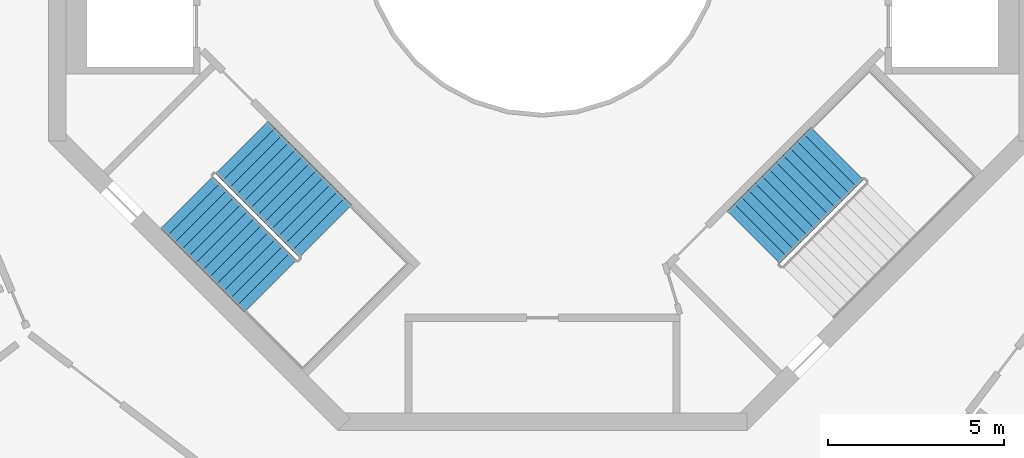
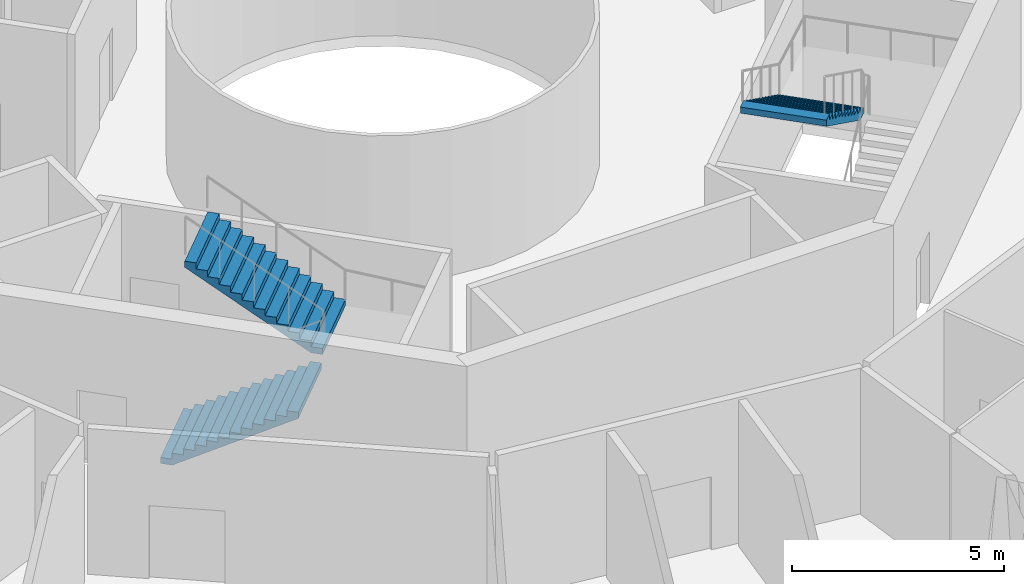
# One storey, part 16 of 18: 3 stair flights, 2 elements without a shape of their own.
"""IFC4 building model written with IfcOpenShell, lengths in metres."""

from ifc_helpers import new_model, si_unit, direction, frame, origin, place, context, subcontext, project, spatial, triangles, material, type_object, element, aggregate, save


model = new_model("IFC4")

# Units and contexts
model_context = context("Model", 3, precision=1e-05, world=origin(), true_north=direction((0.0, 1.0)))
body_context = subcontext(model_context, "Body", "Model", "MODEL_VIEW")
ifc_project = project(units=[si_unit("LENGTHUNIT", "METRE"), si_unit("AREAUNIT", "SQUARE_METRE"), si_unit("VOLUMEUNIT", "CUBIC_METRE"), si_unit("PLANEANGLEUNIT", "RADIAN"), si_unit("MASSUNIT", "GRAM", prefix="KILO")], contexts=[model_context])

# Site, building, storey
site_placement = place(None, origin())
site = spatial("IfcSite", under=ifc_project, at=site_placement, CompositionType="ELEMENT")
building_placement = place(site_placement, origin())
building = spatial("IfcBuilding", under=site, at=building_placement, Name="Verdalira Terraces Hotel", CompositionType="ELEMENT")
storey_placement = place(building_placement, frame((0.0, 0.0, 248.0)))
storey = spatial("IfcBuildingStorey", under=building, at=storey_placement, Name="L61", CompositionType="ELEMENT", Elevation=248.0)

# Stair, stair flights
ifc_material_1 = material(Name="Concrete C40", Category="concrete")
stair_type = type_object("IfcStairType", Name="Core stair 26 risers 2100 mm wide", PredefinedType="HALF_TURN_STAIR", material=ifc_material_1)
stair_1_placement = place(storey_placement, origin())
stair_1 = element("IfcStair", 1, at=stair_1_placement, inside=storey, type_object=stair_type, Name="L61 Exit stair ST2", PredefinedType="HALF_TURN_STAIR")
ifc_material_2 = material(Name="Concrete C40", Category="concrete")
stair_flight_type = type_object("IfcStairFlightType", Name="Core stair flight 26 risers 2100 mm wide", PredefinedType="STRAIGHT", material=ifc_material_2)
stair_flight_1_placement = place(storey_placement, frame((-10.076172, -7.530762, 0.0), z_axis=(0.0, 0.0, 1.0), x_axis=(0.707106781, -0.707106781, 0.0)))
stair_flight_1 = element("IfcStairFlight", 2, at=stair_flight_1_placement, type_object=stair_flight_type, Name="ST2 flight 1", NumberOfRisers=13, NumberOfTreads=12, PredefinedType="STRAIGHT", RiserHeight=0.173076923, TreadLength=0.28, context=body_context, shape_type="Tessellation", body=[
    triangles([(0.0, 1.050049, 0.0), (0.285156, 1.050049, 0.0), (3.360107, 1.050049, 1.900635), (0.0, -1.050049, 0.0), (0.285156, -1.050049, 0.0), (3.360107, -1.050049, 1.900635), (3.360107, 1.050049, 2.076904), (3.080078, 1.050049, 2.076904), (3.360107, -1.050049, 2.076904), (3.080078, -1.050049, 2.076904), (3.080078, 1.050049, 1.903809), (3.080078, -1.050049, 1.903809), (2.800049, 1.050049, 1.903809), (2.800049, -1.050049, 1.903809), (2.800049, 1.050049, 1.730713), (2.800049, -1.050049, 1.730713), (2.52002, 1.050049, 1.730713), (2.52002, 1.050049, 1.557617), (2.52002, -1.050049, 1.730713), (2.52002, -1.050049, 1.557617), (2.23999, 1.050049, 1.557617), (2.23999, 1.050049, 1.384521), (2.23999, -1.050049, 1.557617), (2.23999, -1.050049, 1.384521), (1.959961, 1.050049, 1.384521), (1.959961, 1.050049, 1.211426), (1.959961, -1.050049, 1.384521), (1.959961, -1.050049, 1.211426), (1.679932, 1.050049, 1.211426), (1.679932, 1.050049, 1.038574), (1.679932, -1.050049, 1.211426), (1.679932, -1.050049, 1.038574), (1.399902, 1.050049, 1.038574), (1.399902, 1.050049, 0.865479), (1.399902, -1.050049, 1.038574), (1.399902, -1.050049, 0.865479), (1.120117, 1.050049, 0.865479), (1.120117, 1.050049, 0.692383), (1.120117, -1.050049, 0.865479), (1.120117, -1.050049, 0.692383), (0.840088, 1.050049, 0.692383), (0.840088, 1.050049, 0.519287), (0.840088, -1.050049, 0.692383), (0.840088, -1.050049, 0.519287), (0.560059, 1.050049, 0.519287), (0.560059, 1.050049, 0.346191), (0.560059, -1.050049, 0.519287), (0.560059, -1.050049, 0.346191), (0.280029, 1.050049, 0.346191), (0.280029, 1.050049, 0.173096), (0.280029, -1.050049, 0.346191), (0.280029, -1.050049, 0.173096), (0.0, 1.050049, 0.173096), (0.0, -1.050049, 0.173096), (0.0, -0.984421, 0.0), (0.0, -0.984421, 0.173096), (0.0, -0.918793, 0.0), (0.0, -0.918793, 0.173096), (0.0, -0.853165, 0.0), (0.0, -0.853165, 0.173096), (0.0, -0.787537, 0.0), (0.0, -0.787537, 0.173096), (0.0, -0.721909, 0.0), (0.0, -0.721909, 0.173096), (0.0, -0.656281, 0.0), (0.0, -0.656281, 0.173096), (0.0, -0.590652, 0.0), (0.0, -0.590652, 0.173096), (0.0, -0.525024, 0.0), (0.0, -0.525024, 0.173096), (0.0, -0.459396, 0.0), (0.0, -0.459396, 0.173096), (0.0, -0.393768, 0.0), (0.0, -0.393768, 0.173096), (0.0, -0.32814, 0.0), (0.0, -0.32814, 0.173096), (0.0, -0.262512, 0.0), (0.0, -0.262512, 0.173096), (0.0, -0.196884, 0.0), (0.0, -0.196884, 0.173096), (0.0, -0.131256, 0.0), (0.0, -0.131256, 0.173096), (0.0, -0.065628, 0.0), (0.0, -0.065628, 0.173096), (0.0, 0.0, 0.0), (0.0, 0.0, 0.173096), (0.0, 0.065628, 0.0), (0.0, 0.065628, 0.173096), (0.0, 0.131256, 0.0), (0.0, 0.131256, 0.173096), (0.0, 0.196884, 0.0), (0.0, 0.196884, 0.173096), (0.0, 0.262512, 0.0), (0.0, 0.262512, 0.173096), (0.0, 0.32814, 0.0), (0.0, 0.32814, 0.173096), (0.0, 0.393768, 0.0), (0.0, 0.393768, 0.173096), (0.0, 0.459396, 0.0), (0.0, 0.459396, 0.173096), (0.0, 0.525024, 0.0), (0.0, 0.525024, 0.173096), (0.0, 0.590652, 0.0), (0.0, 0.590652, 0.173096), (0.0, 0.656281, 0.0), (0.0, 0.656281, 0.173096), (0.0, 0.721909, 0.0), (0.0, 0.721909, 0.173096), (0.0, 0.787537, 0.0), (0.0, 0.787537, 0.173096), (0.0, 0.853165, 0.0), (0.0, 0.853165, 0.173096), (0.0, 0.918793, 0.0), (0.0, 0.918793, 0.173096), (0.0, 0.984421, 0.0), (0.0, 0.984421, 0.173096), (3.360107, -0.984421, 2.076904), (3.360107, -0.918793, 2.076904), (3.360107, -0.853165, 2.076904), (3.360107, -0.787537, 2.076904), (3.360107, -0.721909, 2.076904), (3.360107, -0.656281, 2.076904), (3.360107, -0.590652, 2.076904), (3.360107, -0.525024, 2.076904), (3.360107, -0.459396, 2.076904), (3.360107, -0.393768, 2.076904), (3.360107, -0.32814, 2.076904), (3.360107, -0.262512, 2.076904), (3.360107, -0.196884, 2.076904), (3.360107, -0.131256, 2.076904), (3.360107, -0.065628, 2.076904), (3.360107, 0.0, 2.076904), (3.360107, 0.065628, 2.076904), (3.360107, 0.131256, 2.076904), (3.360107, 0.196884, 2.076904), (3.360107, 0.262512, 2.076904), (3.360107, 0.32814, 2.076904), (3.360107, 0.393768, 2.076904), (3.360107, 0.459396, 2.076904), (3.360107, 0.525024, 2.076904), (3.360107, 0.590652, 2.076904), (3.360107, 0.656281, 2.076904), (3.360107, 0.721909, 2.076904), (3.360107, 0.787537, 2.076904), (3.360107, 0.853165, 2.076904), (3.360107, 0.918793, 2.076904), (3.360107, 0.984421, 2.076904), (3.360107, -0.984421, 1.900635), (3.360107, -0.918793, 1.900635), (3.360107, -0.853165, 1.900635), (3.360107, -0.787537, 1.900635), (3.360107, -0.721909, 1.900635), (3.360107, -0.656281, 1.900635), (3.360107, -0.590652, 1.900635), (3.360107, -0.525024, 1.900635), (3.360107, -0.459396, 1.900635), (3.360107, -0.393768, 1.900635), (3.360107, -0.32814, 1.900635), (3.360107, -0.262512, 1.900635), (3.360107, -0.196884, 1.900635), (3.360107, -0.131256, 1.900635), (3.360107, -0.065628, 1.900635), (3.360107, 0.0, 1.900635), (3.360107, 0.065628, 1.900635), (3.360107, 0.131256, 1.900635), (3.360107, 0.196884, 1.900635), (3.360107, 0.262512, 1.900635), (3.360107, 0.32814, 1.900635), (3.360107, 0.393768, 1.900635), (3.360107, 0.459396, 1.900635), (3.360107, 0.525024, 1.900635), (3.360107, 0.590652, 1.900635), (3.360107, 0.656281, 1.900635), (3.360107, 0.721909, 1.900635), (3.360107, 0.787537, 1.900635), (3.360107, 0.853165, 1.900635), (3.360107, 0.918793, 1.900635), (3.360107, 0.984421, 1.900635)], [[1, 3, 2], [4, 5, 6], [3, 8, 7], [6, 9, 10], [3, 11, 8], [6, 10, 12], [3, 13, 11], [6, 12, 14], [3, 15, 13], [6, 14, 16], [15, 18, 17], [16, 19, 20], [3, 18, 15], [6, 16, 20], [18, 22, 21], [20, 23, 24], [3, 22, 18], [6, 20, 24], [22, 26, 25], [24, 27, 28], [3, 26, 22], [6, 24, 28], [1, 26, 3], [4, 6, 28], [26, 30, 29], [28, 31, 32], [30, 34, 33], [32, 35, 36], [26, 34, 30], [28, 32, 36], [34, 38, 37], [36, 39, 40], [26, 38, 34], [28, 36, 40], [38, 42, 41], [40, 43, 44], [26, 42, 38], [28, 40, 44], [42, 46, 45], [44, 47, 48], [26, 46, 42], [28, 44, 48], [46, 50, 49], [48, 51, 52], [26, 50, 46], [28, 48, 52], [1, 50, 26], [4, 28, 52], [50, 1, 53], [52, 54, 4], [4, 56, 55], [4, 54, 56], [55, 58, 57], [55, 56, 58], [57, 60, 59], [57, 58, 60], [59, 62, 61], [59, 60, 62], [61, 64, 63], [61, 62, 64], [63, 66, 65], [63, 64, 66], [65, 68, 67], [65, 66, 68], [67, 70, 69], [67, 68, 70], [69, 72, 71], [69, 70, 72], [71, 74, 73], [71, 72, 74], [73, 76, 75], [73, 74, 76], [75, 78, 77], [75, 76, 78], [77, 80, 79], [77, 78, 80], [79, 82, 81], [79, 80, 82], [81, 84, 83], [81, 82, 84], [83, 86, 85], [83, 84, 86], [85, 88, 87], [85, 86, 88], [87, 90, 89], [87, 88, 90], [89, 92, 91], [89, 90, 92], [91, 94, 93], [91, 92, 94], [93, 96, 95], [93, 94, 96], [95, 98, 97], [95, 96, 98], [97, 100, 99], [97, 98, 100], [99, 102, 101], [99, 100, 102], [101, 104, 103], [101, 102, 104], [103, 106, 105], [103, 104, 106], [105, 108, 107], [105, 106, 108], [107, 110, 109], [107, 108, 110], [109, 112, 111], [109, 110, 112], [111, 114, 113], [111, 112, 114], [113, 116, 115], [113, 114, 116], [115, 53, 1], [115, 116, 53], [54, 52, 56], [56, 52, 58], [58, 52, 60], [60, 52, 62], [62, 52, 64], [64, 52, 66], [66, 52, 68], [68, 52, 70], [70, 52, 72], [72, 52, 74], [74, 52, 76], [76, 52, 78], [78, 52, 80], [80, 52, 82], [82, 52, 84], [84, 52, 86], [86, 52, 88], [88, 52, 90], [90, 52, 92], [92, 52, 94], [94, 52, 96], [96, 52, 98], [98, 52, 100], [100, 52, 102], [102, 52, 104], [104, 52, 106], [106, 52, 108], [108, 52, 110], [110, 52, 112], [112, 52, 114], [114, 52, 116], [116, 52, 53], [53, 52, 50], [52, 49, 50], [52, 51, 49], [51, 46, 49], [51, 48, 46], [48, 45, 46], [48, 47, 45], [47, 42, 45], [47, 44, 42], [44, 41, 42], [44, 43, 41], [43, 38, 41], [43, 40, 38], [40, 37, 38], [40, 39, 37], [39, 34, 37], [39, 36, 34], [36, 33, 34], [36, 35, 33], [35, 30, 33], [35, 32, 30], [32, 29, 30], [32, 31, 29], [31, 26, 29], [31, 28, 26], [28, 25, 26], [28, 27, 25], [27, 22, 25], [27, 24, 22], [24, 21, 22], [24, 23, 21], [23, 18, 21], [23, 20, 18], [20, 17, 18], [20, 19, 17], [19, 15, 17], [19, 16, 15], [16, 13, 15], [16, 14, 13], [14, 11, 13], [14, 12, 11], [12, 8, 11], [12, 10, 8], [9, 117, 10], [117, 118, 10], [118, 119, 10], [119, 120, 10], [120, 121, 10], [121, 122, 10], [122, 123, 10], [123, 124, 10], [124, 125, 10], [125, 126, 10], [126, 127, 10], [127, 128, 10], [128, 129, 10], [129, 130, 10], [130, 131, 10], [131, 132, 10], [132, 133, 10], [133, 134, 10], [134, 135, 10], [135, 136, 10], [136, 137, 10], [137, 138, 10], [138, 139, 10], [139, 140, 10], [140, 141, 10], [141, 142, 10], [142, 143, 10], [143, 144, 10], [144, 145, 10], [145, 146, 10], [146, 147, 10], [147, 7, 10], [7, 8, 10], [9, 148, 117], [9, 6, 148], [117, 149, 118], [117, 148, 149], [118, 150, 119], [118, 149, 150], [119, 151, 120], [119, 150, 151], [120, 152, 121], [120, 151, 152], [121, 153, 122], [121, 152, 153], [122, 154, 123], [122, 153, 154], [123, 155, 124], [123, 154, 155], [124, 156, 125], [124, 155, 156], [125, 157, 126], [125, 156, 157], [126, 158, 127], [126, 157, 158], [127, 159, 128], [127, 158, 159], [128, 160, 129], [128, 159, 160], [129, 161, 130], [129, 160, 161], [130, 162, 131], [130, 161, 162], [131, 163, 132], [131, 162, 163], [132, 164, 133], [132, 163, 164], [133, 165, 134], [133, 164, 165], [134, 166, 135], [134, 165, 166], [135, 167, 136], [135, 166, 167], [136, 168, 137], [136, 167, 168], [137, 169, 138], [137, 168, 169], [138, 170, 139], [138, 169, 170], [139, 171, 140], [139, 170, 171], [140, 172, 141], [140, 171, 172], [141, 173, 142], [141, 172, 173], [142, 174, 143], [142, 173, 174], [143, 175, 144], [143, 174, 175], [144, 176, 145], [144, 175, 176], [145, 177, 146], [145, 176, 177], [146, 178, 147], [146, 177, 178], [147, 3, 7], [147, 178, 3], [6, 5, 148], [148, 5, 149], [149, 5, 150], [150, 5, 151], [151, 5, 152], [152, 5, 153], [153, 5, 154], [154, 5, 155], [155, 5, 156], [156, 5, 157], [157, 5, 158], [158, 5, 159], [159, 5, 160], [160, 5, 161], [161, 5, 162], [162, 5, 163], [163, 5, 164], [164, 5, 165], [165, 5, 166], [166, 5, 167], [167, 5, 168], [168, 5, 169], [169, 5, 170], [170, 5, 171], [171, 5, 172], [172, 5, 173], [173, 5, 174], [174, 5, 175], [175, 5, 176], [176, 5, 177], [177, 5, 178], [178, 5, 3], [3, 5, 2], [4, 55, 5], [55, 57, 5], [57, 59, 5], [59, 61, 5], [61, 63, 5], [63, 65, 5], [65, 67, 5], [67, 69, 5], [69, 71, 5], [71, 73, 5], [73, 75, 5], [75, 77, 5], [77, 79, 5], [79, 81, 5], [81, 83, 5], [83, 85, 5], [85, 87, 5], [87, 89, 5], [89, 91, 5], [91, 93, 5], [93, 95, 5], [95, 97, 5], [97, 99, 5], [99, 101, 5], [101, 103, 5], [103, 105, 5], [105, 107, 5], [107, 109, 5], [109, 111, 5], [111, 113, 5], [113, 115, 5], [115, 1, 5], [1, 2, 5]], closed=True),
])
stair_flight_2_placement = place(storey_placement, frame((-6.144775, -8.35083, 2.25), z_axis=(0.0, 0.0, 1.0), x_axis=(-0.707106781, 0.707106781, 0.0)))
stair_flight_2 = element("IfcStairFlight", 3, at=stair_flight_2_placement, type_object=stair_flight_type, Name="ST2 flight 2", NumberOfRisers=13, NumberOfTreads=12, PredefinedType="STRAIGHT", RiserHeight=0.173076923, TreadLength=0.28, context=body_context, shape_type="Tessellation", body=[
    triangles([(0.0, 1.050049, 0.0), (0.285156, 1.050049, 0.0), (3.360107, 1.050049, 1.900635), (0.0, -1.050049, 0.0), (0.285156, -1.050049, 0.0), (3.360107, -1.050049, 1.900635), (3.360107, 1.050049, 2.076904), (3.080078, 1.050049, 2.076904), (3.360107, -1.050049, 2.076904), (3.080078, -1.050049, 2.076904), (3.080078, 1.050049, 1.903809), (3.080078, -1.050049, 1.903809), (2.800049, 1.050049, 1.903809), (2.800049, -1.050049, 1.903809), (2.800049, 1.050049, 1.730713), (2.800049, -1.050049, 1.730713), (2.52002, 1.050049, 1.730713), (2.52002, 1.050049, 1.557617), (2.52002, -1.050049, 1.730713), (2.52002, -1.050049, 1.557617), (2.23999, 1.050049, 1.557617), (2.23999, 1.050049, 1.384521), (2.23999, -1.050049, 1.557617), (2.23999, -1.050049, 1.384521), (1.959961, 1.050049, 1.384521), (1.959961, 1.050049, 1.211426), (1.959961, -1.050049, 1.384521), (1.959961, -1.050049, 1.211426), (1.679932, 1.050049, 1.211426), (1.679932, 1.050049, 1.038574), (1.679932, -1.050049, 1.211426), (1.679932, -1.050049, 1.038574), (1.399902, 1.050049, 1.038574), (1.399902, 1.050049, 0.865479), (1.399902, -1.050049, 1.038574), (1.399902, -1.050049, 0.865479), (1.120117, 1.050049, 0.865479), (1.120117, 1.050049, 0.692383), (1.120117, -1.050049, 0.865479), (1.120117, -1.050049, 0.692383), (0.840088, 1.050049, 0.692383), (0.840088, 1.050049, 0.519287), (0.840088, -1.050049, 0.692383), (0.840088, -1.050049, 0.519287), (0.560059, 1.050049, 0.519287), (0.560059, 1.050049, 0.346191), (0.560059, -1.050049, 0.519287), (0.560059, -1.050049, 0.346191), (0.280029, 1.050049, 0.346191), (0.280029, 1.050049, 0.173096), (0.280029, -1.050049, 0.346191), (0.280029, -1.050049, 0.173096), (0.0, 1.050049, 0.173096), (0.0, -1.050049, 0.173096), (0.0, -0.984421, 0.0), (0.0, -0.984421, 0.173096), (0.0, -0.918793, 0.0), (0.0, -0.918793, 0.173096), (0.0, -0.853165, 0.0), (0.0, -0.853165, 0.173096), (0.0, -0.787537, 0.0), (0.0, -0.787537, 0.173096), (0.0, -0.721909, 0.0), (0.0, -0.721909, 0.173096), (0.0, -0.656281, 0.0), (0.0, -0.656281, 0.173096), (0.0, -0.590652, 0.0), (0.0, -0.590652, 0.173096), (0.0, -0.525024, 0.0), (0.0, -0.525024, 0.173096), (0.0, -0.459396, 0.0), (0.0, -0.459396, 0.173096), (0.0, -0.393768, 0.0), (0.0, -0.393768, 0.173096), (0.0, -0.32814, 0.0), (0.0, -0.32814, 0.173096), (0.0, -0.262512, 0.0), (0.0, -0.262512, 0.173096), (0.0, -0.196884, 0.0), (0.0, -0.196884, 0.173096), (0.0, -0.131256, 0.0), (0.0, -0.131256, 0.173096), (0.0, -0.065628, 0.0), (0.0, -0.065628, 0.173096), (0.0, 0.0, 0.0), (0.0, 0.0, 0.173096), (0.0, 0.065628, 0.0), (0.0, 0.065628, 0.173096), (0.0, 0.131256, 0.0), (0.0, 0.131256, 0.173096), (0.0, 0.196884, 0.0), (0.0, 0.196884, 0.173096), (0.0, 0.262512, 0.0), (0.0, 0.262512, 0.173096), (0.0, 0.32814, 0.0), (0.0, 0.32814, 0.173096), (0.0, 0.393768, 0.0), (0.0, 0.393768, 0.173096), (0.0, 0.459396, 0.0), (0.0, 0.459396, 0.173096), (0.0, 0.525024, 0.0), (0.0, 0.525024, 0.173096), (0.0, 0.590652, 0.0), (0.0, 0.590652, 0.173096), (0.0, 0.656281, 0.0), (0.0, 0.656281, 0.173096), (0.0, 0.721909, 0.0), (0.0, 0.721909, 0.173096), (0.0, 0.787537, 0.0), (0.0, 0.787537, 0.173096), (0.0, 0.853165, 0.0), (0.0, 0.853165, 0.173096), (0.0, 0.918793, 0.0), (0.0, 0.918793, 0.173096), (0.0, 0.984421, 0.0), (0.0, 0.984421, 0.173096), (3.360107, -0.984421, 2.076904), (3.360107, -0.918793, 2.076904), (3.360107, -0.853165, 2.076904), (3.360107, -0.787537, 2.076904), (3.360107, -0.721909, 2.076904), (3.360107, -0.656281, 2.076904), (3.360107, -0.590652, 2.076904), (3.360107, -0.525024, 2.076904), (3.360107, -0.459396, 2.076904), (3.360107, -0.393768, 2.076904), (3.360107, -0.32814, 2.076904), (3.360107, -0.262512, 2.076904), (3.360107, -0.196884, 2.076904), (3.360107, -0.131256, 2.076904), (3.360107, -0.065628, 2.076904), (3.360107, 0.0, 2.076904), (3.360107, 0.065628, 2.076904), (3.360107, 0.131256, 2.076904), (3.360107, 0.196884, 2.076904), (3.360107, 0.262512, 2.076904), (3.360107, 0.32814, 2.076904), (3.360107, 0.393768, 2.076904), (3.360107, 0.459396, 2.076904), (3.360107, 0.525024, 2.076904), (3.360107, 0.590652, 2.076904), (3.360107, 0.656281, 2.076904), (3.360107, 0.721909, 2.076904), (3.360107, 0.787537, 2.076904), (3.360107, 0.853165, 2.076904), (3.360107, 0.918793, 2.076904), (3.360107, 0.984421, 2.076904), (3.360107, -0.984421, 1.900635), (3.360107, -0.918793, 1.900635), (3.360107, -0.853165, 1.900635), (3.360107, -0.787537, 1.900635), (3.360107, -0.721909, 1.900635), (3.360107, -0.656281, 1.900635), (3.360107, -0.590652, 1.900635), (3.360107, -0.525024, 1.900635), (3.360107, -0.459396, 1.900635), (3.360107, -0.393768, 1.900635), (3.360107, -0.32814, 1.900635), (3.360107, -0.262512, 1.900635), (3.360107, -0.196884, 1.900635), (3.360107, -0.131256, 1.900635), (3.360107, -0.065628, 1.900635), (3.360107, 0.0, 1.900635), (3.360107, 0.065628, 1.900635), (3.360107, 0.131256, 1.900635), (3.360107, 0.196884, 1.900635), (3.360107, 0.262512, 1.900635), (3.360107, 0.32814, 1.900635), (3.360107, 0.393768, 1.900635), (3.360107, 0.459396, 1.900635), (3.360107, 0.525024, 1.900635), (3.360107, 0.590652, 1.900635), (3.360107, 0.656281, 1.900635), (3.360107, 0.721909, 1.900635), (3.360107, 0.787537, 1.900635), (3.360107, 0.853165, 1.900635), (3.360107, 0.918793, 1.900635), (3.360107, 0.984421, 1.900635)], [[1, 3, 2], [4, 5, 6], [3, 8, 7], [6, 9, 10], [3, 11, 8], [6, 10, 12], [3, 13, 11], [6, 12, 14], [3, 15, 13], [6, 14, 16], [15, 18, 17], [16, 19, 20], [3, 18, 15], [6, 16, 20], [18, 22, 21], [20, 23, 24], [3, 22, 18], [6, 20, 24], [22, 26, 25], [24, 27, 28], [3, 26, 22], [6, 24, 28], [1, 26, 3], [4, 6, 28], [26, 30, 29], [28, 31, 32], [30, 34, 33], [32, 35, 36], [26, 34, 30], [28, 32, 36], [34, 38, 37], [36, 39, 40], [26, 38, 34], [28, 36, 40], [38, 42, 41], [40, 43, 44], [26, 42, 38], [28, 40, 44], [42, 46, 45], [44, 47, 48], [26, 46, 42], [28, 44, 48], [46, 50, 49], [48, 51, 52], [26, 50, 46], [28, 48, 52], [1, 50, 26], [4, 28, 52], [50, 1, 53], [52, 54, 4], [4, 56, 55], [4, 54, 56], [55, 58, 57], [55, 56, 58], [57, 60, 59], [57, 58, 60], [59, 62, 61], [59, 60, 62], [61, 64, 63], [61, 62, 64], [63, 66, 65], [63, 64, 66], [65, 68, 67], [65, 66, 68], [67, 70, 69], [67, 68, 70], [69, 72, 71], [69, 70, 72], [71, 74, 73], [71, 72, 74], [73, 76, 75], [73, 74, 76], [75, 78, 77], [75, 76, 78], [77, 80, 79], [77, 78, 80], [79, 82, 81], [79, 80, 82], [81, 84, 83], [81, 82, 84], [83, 86, 85], [83, 84, 86], [85, 88, 87], [85, 86, 88], [87, 90, 89], [87, 88, 90], [89, 92, 91], [89, 90, 92], [91, 94, 93], [91, 92, 94], [93, 96, 95], [93, 94, 96], [95, 98, 97], [95, 96, 98], [97, 100, 99], [97, 98, 100], [99, 102, 101], [99, 100, 102], [101, 104, 103], [101, 102, 104], [103, 106, 105], [103, 104, 106], [105, 108, 107], [105, 106, 108], [107, 110, 109], [107, 108, 110], [109, 112, 111], [109, 110, 112], [111, 114, 113], [111, 112, 114], [113, 116, 115], [113, 114, 116], [115, 53, 1], [115, 116, 53], [54, 52, 56], [56, 52, 58], [58, 52, 60], [60, 52, 62], [62, 52, 64], [64, 52, 66], [66, 52, 68], [68, 52, 70], [70, 52, 72], [72, 52, 74], [74, 52, 76], [76, 52, 78], [78, 52, 80], [80, 52, 82], [82, 52, 84], [84, 52, 86], [86, 52, 88], [88, 52, 90], [90, 52, 92], [92, 52, 94], [94, 52, 96], [96, 52, 98], [98, 52, 100], [100, 52, 102], [102, 52, 104], [104, 52, 106], [106, 52, 108], [108, 52, 110], [110, 52, 112], [112, 52, 114], [114, 52, 116], [116, 52, 53], [53, 52, 50], [52, 49, 50], [52, 51, 49], [51, 46, 49], [51, 48, 46], [48, 45, 46], [48, 47, 45], [47, 42, 45], [47, 44, 42], [44, 41, 42], [44, 43, 41], [43, 38, 41], [43, 40, 38], [40, 37, 38], [40, 39, 37], [39, 34, 37], [39, 36, 34], [36, 33, 34], [36, 35, 33], [35, 30, 33], [35, 32, 30], [32, 29, 30], [32, 31, 29], [31, 26, 29], [31, 28, 26], [28, 25, 26], [28, 27, 25], [27, 22, 25], [27, 24, 22], [24, 21, 22], [24, 23, 21], [23, 18, 21], [23, 20, 18], [20, 17, 18], [20, 19, 17], [19, 15, 17], [19, 16, 15], [16, 13, 15], [16, 14, 13], [14, 11, 13], [14, 12, 11], [12, 8, 11], [12, 10, 8], [9, 117, 10], [117, 118, 10], [118, 119, 10], [119, 120, 10], [120, 121, 10], [121, 122, 10], [122, 123, 10], [123, 124, 10], [124, 125, 10], [125, 126, 10], [126, 127, 10], [127, 128, 10], [128, 129, 10], [129, 130, 10], [130, 131, 10], [131, 132, 10], [132, 133, 10], [133, 134, 10], [134, 135, 10], [135, 136, 10], [136, 137, 10], [137, 138, 10], [138, 139, 10], [139, 140, 10], [140, 141, 10], [141, 142, 10], [142, 143, 10], [143, 144, 10], [144, 145, 10], [145, 146, 10], [146, 147, 10], [147, 7, 10], [7, 8, 10], [9, 148, 117], [9, 6, 148], [117, 149, 118], [117, 148, 149], [118, 150, 119], [118, 149, 150], [119, 151, 120], [119, 150, 151], [120, 152, 121], [120, 151, 152], [121, 153, 122], [121, 152, 153], [122, 154, 123], [122, 153, 154], [123, 155, 124], [123, 154, 155], [124, 156, 125], [124, 155, 156], [125, 157, 126], [125, 156, 157], [126, 158, 127], [126, 157, 158], [127, 159, 128], [127, 158, 159], [128, 160, 129], [128, 159, 160], [129, 161, 130], [129, 160, 161], [130, 162, 131], [130, 161, 162], [131, 163, 132], [131, 162, 163], [132, 164, 133], [132, 163, 164], [133, 165, 134], [133, 164, 165], [134, 166, 135], [134, 165, 166], [135, 167, 136], [135, 166, 167], [136, 168, 137], [136, 167, 168], [137, 169, 138], [137, 168, 169], [138, 170, 139], [138, 169, 170], [139, 171, 140], [139, 170, 171], [140, 172, 141], [140, 171, 172], [141, 173, 142], [141, 172, 173], [142, 174, 143], [142, 173, 174], [143, 175, 144], [143, 174, 175], [144, 176, 145], [144, 175, 176], [145, 177, 146], [145, 176, 177], [146, 178, 147], [146, 177, 178], [147, 3, 7], [147, 178, 3], [6, 5, 148], [148, 5, 149], [149, 5, 150], [150, 5, 151], [151, 5, 152], [152, 5, 153], [153, 5, 154], [154, 5, 155], [155, 5, 156], [156, 5, 157], [157, 5, 158], [158, 5, 159], [159, 5, 160], [160, 5, 161], [161, 5, 162], [162, 5, 163], [163, 5, 164], [164, 5, 165], [165, 5, 166], [166, 5, 167], [167, 5, 168], [168, 5, 169], [169, 5, 170], [170, 5, 171], [171, 5, 172], [172, 5, 173], [173, 5, 174], [174, 5, 175], [175, 5, 176], [176, 5, 177], [177, 5, 178], [178, 5, 3], [3, 5, 2], [4, 55, 5], [55, 57, 5], [57, 59, 5], [59, 61, 5], [61, 63, 5], [63, 65, 5], [65, 67, 5], [67, 69, 5], [69, 71, 5], [71, 73, 5], [73, 75, 5], [75, 77, 5], [77, 79, 5], [79, 81, 5], [81, 83, 5], [83, 85, 5], [85, 87, 5], [87, 89, 5], [89, 91, 5], [91, 93, 5], [93, 95, 5], [95, 97, 5], [97, 99, 5], [99, 101, 5], [101, 103, 5], [103, 105, 5], [105, 107, 5], [107, 109, 5], [109, 111, 5], [111, 113, 5], [113, 115, 5], [115, 1, 5], [1, 2, 5]], closed=True),
])
aggregate(stair_1, [stair_flight_1, stair_flight_2])

# Stair, stair flight
stair_2_placement = place(storey_placement, origin())
stair_2 = element("IfcStair", 4, at=stair_2_placement, inside=storey, type_object=stair_type, Name="L61 Exit stair ST3", PredefinedType="HALF_TURN_STAIR")
stair_flight_3_placement = place(storey_placement, frame((8.35083, -6.144775, 2.25), z_axis=(0.0, 0.0, 1.0), x_axis=(-0.707106781, -0.707106781, 0.0)))
stair_flight_3 = element("IfcStairFlight", 5, at=stair_flight_3_placement, type_object=stair_flight_type, Name="ST3 flight 2", NumberOfRisers=13, NumberOfTreads=12, PredefinedType="STRAIGHT", RiserHeight=0.173076923, TreadLength=0.28, context=body_context, shape_type="Tessellation", body=[
    triangles([(0.0, 1.050049, 0.0), (0.285156, 1.050049, 0.0), (3.360107, 1.050049, 1.900635), (0.0, -1.050049, 0.0), (0.285156, -1.050049, 0.0), (3.360107, -1.050049, 1.900635), (3.360107, 1.050049, 2.076904), (3.080078, 1.050049, 2.076904), (3.360107, -1.050049, 2.076904), (3.080078, -1.050049, 2.076904), (3.080078, 1.050049, 1.903809), (3.080078, -1.050049, 1.903809), (2.800049, 1.050049, 1.903809), (2.800049, -1.050049, 1.903809), (2.800049, 1.050049, 1.730713), (2.800049, -1.050049, 1.730713), (2.52002, 1.050049, 1.730713), (2.52002, 1.050049, 1.557617), (2.52002, -1.050049, 1.730713), (2.52002, -1.050049, 1.557617), (2.23999, 1.050049, 1.557617), (2.23999, 1.050049, 1.384521), (2.23999, -1.050049, 1.557617), (2.23999, -1.050049, 1.384521), (1.959961, 1.050049, 1.384521), (1.959961, 1.050049, 1.211426), (1.959961, -1.050049, 1.384521), (1.959961, -1.050049, 1.211426), (1.679932, 1.050049, 1.211426), (1.679932, 1.050049, 1.038574), (1.679932, -1.050049, 1.211426), (1.679932, -1.050049, 1.038574), (1.399902, 1.050049, 1.038574), (1.399902, 1.050049, 0.865479), (1.399902, -1.050049, 1.038574), (1.399902, -1.050049, 0.865479), (1.120117, 1.050049, 0.865479), (1.120117, 1.050049, 0.692383), (1.120117, -1.050049, 0.865479), (1.120117, -1.050049, 0.692383), (0.840088, 1.050049, 0.692383), (0.840088, 1.050049, 0.519287), (0.840088, -1.050049, 0.692383), (0.840088, -1.050049, 0.519287), (0.560059, 1.050049, 0.519287), (0.560059, 1.050049, 0.346191), (0.560059, -1.050049, 0.519287), (0.560059, -1.050049, 0.346191), (0.280029, 1.050049, 0.346191), (0.280029, 1.050049, 0.173096), (0.280029, -1.050049, 0.346191), (0.280029, -1.050049, 0.173096), (0.0, 1.050049, 0.173096), (0.0, -1.050049, 0.173096), (0.0, -0.984421, 0.0), (0.0, -0.984421, 0.173096), (0.0, -0.918793, 0.0), (0.0, -0.918793, 0.173096), (0.0, -0.853165, 0.0), (0.0, -0.853165, 0.173096), (0.0, -0.787537, 0.0), (0.0, -0.787537, 0.173096), (0.0, -0.721909, 0.0), (0.0, -0.721909, 0.173096), (0.0, -0.656281, 0.0), (0.0, -0.656281, 0.173096), (0.0, -0.590652, 0.0), (0.0, -0.590652, 0.173096), (0.0, -0.525024, 0.0), (0.0, -0.525024, 0.173096), (0.0, -0.459396, 0.0), (0.0, -0.459396, 0.173096), (0.0, -0.393768, 0.0), (0.0, -0.393768, 0.173096), (0.0, -0.32814, 0.0), (0.0, -0.32814, 0.173096), (0.0, -0.262512, 0.0), (0.0, -0.262512, 0.173096), (0.0, -0.196884, 0.0), (0.0, -0.196884, 0.173096), (0.0, -0.131256, 0.0), (0.0, -0.131256, 0.173096), (0.0, -0.065628, 0.0), (0.0, -0.065628, 0.173096), (0.0, 0.0, 0.0), (0.0, 0.0, 0.173096), (0.0, 0.065628, 0.0), (0.0, 0.065628, 0.173096), (0.0, 0.131256, 0.0), (0.0, 0.131256, 0.173096), (0.0, 0.196884, 0.0), (0.0, 0.196884, 0.173096), (0.0, 0.262512, 0.0), (0.0, 0.262512, 0.173096), (0.0, 0.32814, 0.0), (0.0, 0.32814, 0.173096), (0.0, 0.393768, 0.0), (0.0, 0.393768, 0.173096), (0.0, 0.459396, 0.0), (0.0, 0.459396, 0.173096), (0.0, 0.525024, 0.0), (0.0, 0.525024, 0.173096), (0.0, 0.590652, 0.0), (0.0, 0.590652, 0.173096), (0.0, 0.656281, 0.0), (0.0, 0.656281, 0.173096), (0.0, 0.721909, 0.0), (0.0, 0.721909, 0.173096), (0.0, 0.787537, 0.0), (0.0, 0.787537, 0.173096), (0.0, 0.853165, 0.0), (0.0, 0.853165, 0.173096), (0.0, 0.918793, 0.0), (0.0, 0.918793, 0.173096), (0.0, 0.984421, 0.0), (0.0, 0.984421, 0.173096), (3.360107, -0.984421, 2.076904), (3.360107, -0.918793, 2.076904), (3.360107, -0.853165, 2.076904), (3.360107, -0.787537, 2.076904), (3.360107, -0.721909, 2.076904), (3.360107, -0.656281, 2.076904), (3.360107, -0.590652, 2.076904), (3.360107, -0.525024, 2.076904), (3.360107, -0.459396, 2.076904), (3.360107, -0.393768, 2.076904), (3.360107, -0.32814, 2.076904), (3.360107, -0.262512, 2.076904), (3.360107, -0.196884, 2.076904), (3.360107, -0.131256, 2.076904), (3.360107, -0.065628, 2.076904), (3.360107, 0.0, 2.076904), (3.360107, 0.065628, 2.076904), (3.360107, 0.131256, 2.076904), (3.360107, 0.196884, 2.076904), (3.360107, 0.262512, 2.076904), (3.360107, 0.32814, 2.076904), (3.360107, 0.393768, 2.076904), (3.360107, 0.459396, 2.076904), (3.360107, 0.525024, 2.076904), (3.360107, 0.590652, 2.076904), (3.360107, 0.656281, 2.076904), (3.360107, 0.721909, 2.076904), (3.360107, 0.787537, 2.076904), (3.360107, 0.853165, 2.076904), (3.360107, 0.918793, 2.076904), (3.360107, 0.984421, 2.076904), (3.360107, -0.984421, 1.900635), (3.360107, -0.918793, 1.900635), (3.360107, -0.853165, 1.900635), (3.360107, -0.787537, 1.900635), (3.360107, -0.721909, 1.900635), (3.360107, -0.656281, 1.900635), (3.360107, -0.590652, 1.900635), (3.360107, -0.525024, 1.900635), (3.360107, -0.459396, 1.900635), (3.360107, -0.393768, 1.900635), (3.360107, -0.32814, 1.900635), (3.360107, -0.262512, 1.900635), (3.360107, -0.196884, 1.900635), (3.360107, -0.131256, 1.900635), (3.360107, -0.065628, 1.900635), (3.360107, 0.0, 1.900635), (3.360107, 0.065628, 1.900635), (3.360107, 0.131256, 1.900635), (3.360107, 0.196884, 1.900635), (3.360107, 0.262512, 1.900635), (3.360107, 0.32814, 1.900635), (3.360107, 0.393768, 1.900635), (3.360107, 0.459396, 1.900635), (3.360107, 0.525024, 1.900635), (3.360107, 0.590652, 1.900635), (3.360107, 0.656281, 1.900635), (3.360107, 0.721909, 1.900635), (3.360107, 0.787537, 1.900635), (3.360107, 0.853165, 1.900635), (3.360107, 0.918793, 1.900635), (3.360107, 0.984421, 1.900635)], [[1, 3, 2], [4, 5, 6], [3, 8, 7], [6, 9, 10], [3, 11, 8], [6, 10, 12], [3, 13, 11], [6, 12, 14], [3, 15, 13], [6, 14, 16], [15, 18, 17], [16, 19, 20], [3, 18, 15], [6, 16, 20], [18, 22, 21], [20, 23, 24], [3, 22, 18], [6, 20, 24], [22, 26, 25], [24, 27, 28], [3, 26, 22], [6, 24, 28], [1, 26, 3], [4, 6, 28], [26, 30, 29], [28, 31, 32], [30, 34, 33], [32, 35, 36], [26, 34, 30], [28, 32, 36], [34, 38, 37], [36, 39, 40], [26, 38, 34], [28, 36, 40], [38, 42, 41], [40, 43, 44], [26, 42, 38], [28, 40, 44], [42, 46, 45], [44, 47, 48], [26, 46, 42], [28, 44, 48], [46, 50, 49], [48, 51, 52], [26, 50, 46], [28, 48, 52], [1, 50, 26], [4, 28, 52], [50, 1, 53], [52, 54, 4], [4, 56, 55], [4, 54, 56], [55, 58, 57], [55, 56, 58], [57, 60, 59], [57, 58, 60], [59, 62, 61], [59, 60, 62], [61, 64, 63], [61, 62, 64], [63, 66, 65], [63, 64, 66], [65, 68, 67], [65, 66, 68], [67, 70, 69], [67, 68, 70], [69, 72, 71], [69, 70, 72], [71, 74, 73], [71, 72, 74], [73, 76, 75], [73, 74, 76], [75, 78, 77], [75, 76, 78], [77, 80, 79], [77, 78, 80], [79, 82, 81], [79, 80, 82], [81, 84, 83], [81, 82, 84], [83, 86, 85], [83, 84, 86], [85, 88, 87], [85, 86, 88], [87, 90, 89], [87, 88, 90], [89, 92, 91], [89, 90, 92], [91, 94, 93], [91, 92, 94], [93, 96, 95], [93, 94, 96], [95, 98, 97], [95, 96, 98], [97, 100, 99], [97, 98, 100], [99, 102, 101], [99, 100, 102], [101, 104, 103], [101, 102, 104], [103, 106, 105], [103, 104, 106], [105, 108, 107], [105, 106, 108], [107, 110, 109], [107, 108, 110], [109, 112, 111], [109, 110, 112], [111, 114, 113], [111, 112, 114], [113, 116, 115], [113, 114, 116], [115, 53, 1], [115, 116, 53], [54, 52, 56], [56, 52, 58], [58, 52, 60], [60, 52, 62], [62, 52, 64], [64, 52, 66], [66, 52, 68], [68, 52, 70], [70, 52, 72], [72, 52, 74], [74, 52, 76], [76, 52, 78], [78, 52, 80], [80, 52, 82], [82, 52, 84], [84, 52, 86], [86, 52, 88], [88, 52, 90], [90, 52, 92], [92, 52, 94], [94, 52, 96], [96, 52, 98], [98, 52, 100], [100, 52, 102], [102, 52, 104], [104, 52, 106], [106, 52, 108], [108, 52, 110], [110, 52, 112], [112, 52, 114], [114, 52, 116], [116, 52, 53], [53, 52, 50], [52, 49, 50], [52, 51, 49], [51, 46, 49], [51, 48, 46], [48, 45, 46], [48, 47, 45], [47, 42, 45], [47, 44, 42], [44, 41, 42], [44, 43, 41], [43, 38, 41], [43, 40, 38], [40, 37, 38], [40, 39, 37], [39, 34, 37], [39, 36, 34], [36, 33, 34], [36, 35, 33], [35, 30, 33], [35, 32, 30], [32, 29, 30], [32, 31, 29], [31, 26, 29], [31, 28, 26], [28, 25, 26], [28, 27, 25], [27, 22, 25], [27, 24, 22], [24, 21, 22], [24, 23, 21], [23, 18, 21], [23, 20, 18], [20, 17, 18], [20, 19, 17], [19, 15, 17], [19, 16, 15], [16, 13, 15], [16, 14, 13], [14, 11, 13], [14, 12, 11], [12, 8, 11], [12, 10, 8], [9, 117, 10], [117, 118, 10], [118, 119, 10], [119, 120, 10], [120, 121, 10], [121, 122, 10], [122, 123, 10], [123, 124, 10], [124, 125, 10], [125, 126, 10], [126, 127, 10], [127, 128, 10], [128, 129, 10], [129, 130, 10], [130, 131, 10], [131, 132, 10], [132, 133, 10], [133, 134, 10], [134, 135, 10], [135, 136, 10], [136, 137, 10], [137, 138, 10], [138, 139, 10], [139, 140, 10], [140, 141, 10], [141, 142, 10], [142, 143, 10], [143, 144, 10], [144, 145, 10], [145, 146, 10], [146, 147, 10], [147, 7, 10], [7, 8, 10], [9, 148, 117], [9, 6, 148], [117, 149, 118], [117, 148, 149], [118, 150, 119], [118, 149, 150], [119, 151, 120], [119, 150, 151], [120, 152, 121], [120, 151, 152], [121, 153, 122], [121, 152, 153], [122, 154, 123], [122, 153, 154], [123, 155, 124], [123, 154, 155], [124, 156, 125], [124, 155, 156], [125, 157, 126], [125, 156, 157], [126, 158, 127], [126, 157, 158], [127, 159, 128], [127, 158, 159], [128, 160, 129], [128, 159, 160], [129, 161, 130], [129, 160, 161], [130, 162, 131], [130, 161, 162], [131, 163, 132], [131, 162, 163], [132, 164, 133], [132, 163, 164], [133, 165, 134], [133, 164, 165], [134, 166, 135], [134, 165, 166], [135, 167, 136], [135, 166, 167], [136, 168, 137], [136, 167, 168], [137, 169, 138], [137, 168, 169], [138, 170, 139], [138, 169, 170], [139, 171, 140], [139, 170, 171], [140, 172, 141], [140, 171, 172], [141, 173, 142], [141, 172, 173], [142, 174, 143], [142, 173, 174], [143, 175, 144], [143, 174, 175], [144, 176, 145], [144, 175, 176], [145, 177, 146], [145, 176, 177], [146, 178, 147], [146, 177, 178], [147, 3, 7], [147, 178, 3], [6, 5, 148], [148, 5, 149], [149, 5, 150], [150, 5, 151], [151, 5, 152], [152, 5, 153], [153, 5, 154], [154, 5, 155], [155, 5, 156], [156, 5, 157], [157, 5, 158], [158, 5, 159], [159, 5, 160], [160, 5, 161], [161, 5, 162], [162, 5, 163], [163, 5, 164], [164, 5, 165], [165, 5, 166], [166, 5, 167], [167, 5, 168], [168, 5, 169], [169, 5, 170], [170, 5, 171], [171, 5, 172], [172, 5, 173], [173, 5, 174], [174, 5, 175], [175, 5, 176], [176, 5, 177], [177, 5, 178], [178, 5, 3], [3, 5, 2], [4, 55, 5], [55, 57, 5], [57, 59, 5], [59, 61, 5], [61, 63, 5], [63, 65, 5], [65, 67, 5], [67, 69, 5], [69, 71, 5], [71, 73, 5], [73, 75, 5], [75, 77, 5], [77, 79, 5], [79, 81, 5], [81, 83, 5], [83, 85, 5], [85, 87, 5], [87, 89, 5], [89, 91, 5], [91, 93, 5], [93, 95, 5], [95, 97, 5], [97, 99, 5], [99, 101, 5], [101, 103, 5], [103, 105, 5], [105, 107, 5], [107, 109, 5], [109, 111, 5], [111, 113, 5], [113, 115, 5], [115, 1, 5], [1, 2, 5]], closed=True),
])
aggregate(stair_2, [stair_flight_3])

save(model, "model.ifc")
